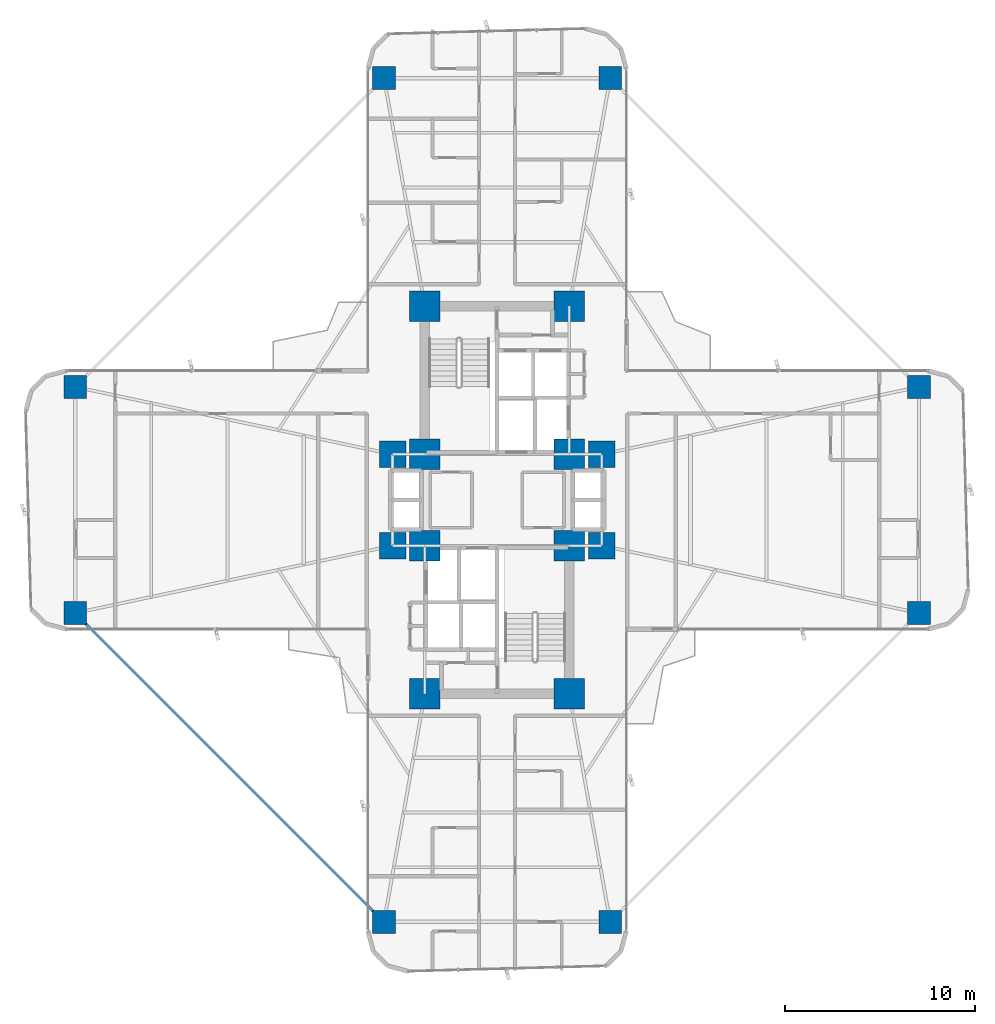
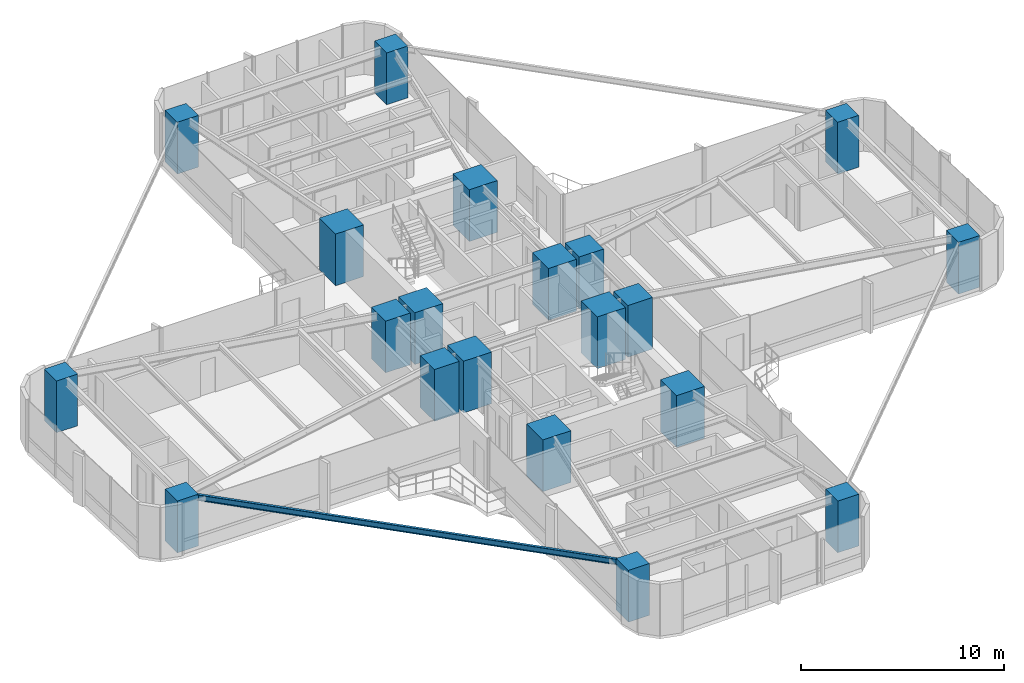
# One storey, part 1 of 26: 20 columns, 1 beam.
"""IFC4 building model written with IfcOpenShell, lengths in metres."""

from ifc_helpers import new_model, si_unit, direction, frame, origin, origin_2d, place, context, subcontext, project, spatial, rectangle, i_section, extrude, source, transform, mapped, material, material_profile, profile_set, type_object, element, save


model = new_model("IFC4")

# Units and contexts
model_context = context("Model", 3, precision=1e-05, world=origin(), true_north=direction((0.0, 1.0)))
body_context = subcontext(model_context, "Body", "Model", "MODEL_VIEW")
ifc_project = project(units=[si_unit("LENGTHUNIT", "METRE"), si_unit("AREAUNIT", "SQUARE_METRE"), si_unit("VOLUMEUNIT", "CUBIC_METRE"), si_unit("PLANEANGLEUNIT", "RADIAN"), si_unit("MASSUNIT", "GRAM", prefix="KILO")], contexts=[model_context])

# Site, building, storey
site_placement = place(None, origin())
site = spatial("IfcSite", under=ifc_project, at=site_placement, CompositionType="ELEMENT")
building_placement = place(site_placement, origin())
building = spatial("IfcBuilding", under=site, at=building_placement, Name="Sahyath Konkavel Grand Hotel", CompositionType="ELEMENT")
storey_placement = place(building_placement, frame((0.0, 0.0, 61.10009765625)))
storey = spatial("IfcBuildingStorey", under=building, at=storey_placement, Name="L16", CompositionType="ELEMENT", Elevation=61.10009765625)

# Columns
ifc_material_1 = material(Name="Concrete C70/85", Category="concrete")
ifc_material_profile_1 = material_profile(ifc_material_1, rectangle(XDim=1.60009765625, YDim=1.60009765625, at=origin_2d()), Name="RC 1600x1600")
ifc_profile_set_1 = profile_set([ifc_material_profile_1], Name="Concrete C70/85")
column_type_1 = type_object("IfcColumnType", Name="COL-RC1600", PredefinedType="COLUMN", material=ifc_profile_set_1)
shared_shape_1 = source(origin(), body_context, "Body", "SweptSolid", [
    extrude(rectangle(XDim=1.60009765625, YDim=1.60009765625, at=origin_2d()), origin(), (0.0, 0.0, 1.0), 3.10986328125),
])
for number, where, z_axis, x_axis, name in (
    (1, (-3.800048828125, 2.39990234375, 0.0), (0.0, 0.0, 1.0), (1.0, 0.0, 0.0), "L16 Core Boundary Column NC-SW"),
    (2, (3.800048828125, 2.39990234375, 0.0), (0.0, 0.0, 1.0), (1.0, 0.0, 0.0), "L16 Core Boundary Column NC-SE"),
    (3, (-3.800048828125, 10.199951171875, 0.0), (0.0, 0.0, 1.0), (1.0, 0.0, 0.0), "L16 Core Boundary Column NC-NW"),
    (4, (3.800048828125, 10.199951171875, 0.0), (0.0, 0.0, 1.0), (1.0, 0.0, 0.0), "L16 Core Boundary Column NC-NE"),
    (5, (-3.800048828125, -2.39990234375, 0.0), (0.0, 0.0, 1.0), (1.0, 0.0, 0.0), "L16 Core Boundary Column SC-NW"),
    (6, (3.800048828125, -2.39990234375, 0.0), (0.0, 0.0, 1.0), (1.0, 0.0, 0.0), "L16 Core Boundary Column SC-NE"),
    (7, (-3.800048828125, -10.199951171875, 0.0), (0.0, 0.0, 1.0), (1.0, 0.0, 0.0), "L16 Core Boundary Column SC-SW"),
    (8, (3.800048828125, -10.199951171875, 0.0), (0.0, 0.0, 1.0), (1.0, 0.0, 0.0), "L16 Core Boundary Column SC-SE"),
):
    element("IfcColumn", number, at=place(storey_placement, frame(where, z_axis=z_axis, x_axis=x_axis)), inside=storey, type_object=column_type_1, Name=name, PredefinedType="COLUMN", context=body_context, shape_type="MappedRepresentation", body=[
        mapped(shared_shape_1, transform((0.0, 0.0, 0.0), scale=1.0)),
    ])
ifc_material_profile_2 = material_profile(ifc_material_1, rectangle(XDim=1.39990234375, YDim=1.39990234375, at=origin_2d()), Name="RC 1400x1400")
ifc_profile_set_2 = profile_set([ifc_material_profile_2], Name="Concrete C70/85")
column_type_2 = type_object("IfcColumnType", Name="COL-RC1400", PredefinedType="COLUMN", material=ifc_profile_set_2)
shared_shape_2 = source(origin(), body_context, "Body", "SweptSolid", [
    extrude(rectangle(XDim=1.39990234375, YDim=1.39990234375, at=origin_2d()), origin(), (0.0, 0.0, 1.0), 3.10986328125),
])
for number, where, z_axis, x_axis, name in (
    (9, (5.5, 2.39990234375, 0.0), (0.0, 0.0, 1.0), (1.0, 0.0, 0.0), "L16 Central Spine Column HB-NE"),
    (10, (-5.5, 2.39990234375, 0.0), (0.0, 0.0, 1.0), (1.0, 0.0, 0.0), "L16 Central Spine Column HB-NW"),
    (11, (5.5, -2.39990234375, 0.0), (0.0, 0.0, 1.0), (1.0, 0.0, 0.0), "L16 Central Spine Column HB-SE"),
    (12, (-5.5, -2.39990234375, 0.0), (0.0, 0.0, 1.0), (1.0, 0.0, 0.0), "L16 Central Spine Column HB-SW"),
):
    element("IfcColumn", number, at=place(storey_placement, frame(where, z_axis=z_axis, x_axis=x_axis)), inside=storey, type_object=column_type_2, Name=name, PredefinedType="COLUMN", context=body_context, shape_type="MappedRepresentation", body=[
        mapped(shared_shape_2, transform((0.0, 0.0, 0.0), scale=1.0)),
    ])
ifc_material_2 = material(Name="Concrete C50/60", Category="concrete")
ifc_material_profile_3 = material_profile(ifc_material_2, rectangle(XDim=1.199951171875, YDim=1.199951171875, at=origin_2d()), Name="RC 1200x1200")
ifc_profile_set_3 = profile_set([ifc_material_profile_3], Name="Concrete C50/60")
column_type_3 = type_object("IfcColumnType", Name="COL-RC1200", PredefinedType="COLUMN", material=ifc_profile_set_3)
shared_shape_3 = source(origin(), body_context, "Body", "SweptSolid", [
    extrude(rectangle(XDim=1.199951171875, YDim=1.199951171875, at=origin_2d()), origin(), (0.0, 0.0, 1.0), 3.10986328125),
])
for number, where, z_axis, x_axis, name in (
    (13, (22.199951171875, -5.949951171875, 0.0), (0.0, 0.0, 1.0), (1.0, 0.0, 0.0), "L16 Cruciform Wing Column WC-EA"),
    (14, (22.199951171875, 5.949951171875, 0.0), (0.0, 0.0, 1.0), (1.0, 0.0, 0.0), "L16 Cruciform Wing Column WC-EB"),
    (15, (5.949951171875, 22.199951171875, 0.0), (0.0, 0.0, 1.0), (1.0, 0.0, 0.0), "L16 Cruciform Wing Column WC-NA"),
    (16, (-5.949951171875, 22.199951171875, 0.0), (0.0, 0.0, 1.0), (1.0, 0.0, 0.0), "L16 Cruciform Wing Column WC-NB"),
    (17, (-22.199951171875, 5.949951171875, 0.0), (0.0, 0.0, 1.0), (1.0, 0.0, 0.0), "L16 Cruciform Wing Column WC-WA"),
    (18, (-22.199951171875, -5.949951171875, 0.0), (0.0, 0.0, 1.0), (1.0, 0.0, 0.0), "L16 Cruciform Wing Column WC-WB"),
    (19, (-5.949951171875, -22.199951171875, 0.0), (0.0, 0.0, 1.0), (1.0, 0.0, 0.0), "L16 Cruciform Wing Column WC-SA"),
    (20, (5.949951171875, -22.199951171875, 0.0), (0.0, 0.0, 1.0), (1.0, 0.0, 0.0), "L16 Cruciform Wing Column WC-SB"),
):
    element("IfcColumn", number, at=place(storey_placement, frame(where, z_axis=z_axis, x_axis=x_axis)), inside=storey, type_object=column_type_3, Name=name, PredefinedType="COLUMN", context=body_context, shape_type="MappedRepresentation", body=[
        mapped(shared_shape_3, transform((0.0, 0.0, 0.0), scale=1.0)),
    ])

# Beam
ifc_material_3 = material(Name="Steel E350", Category="steel")
ifc_material_profile_4 = material_profile(ifc_material_3, i_section(OverallWidth=0.139892578125, OverallDepth=0.35009765625, WebThickness=0.008056640625, FlangeThickness=0.01416015625, FilletRadius=0.013916015625, at=origin_2d()), Name="ISMB 350")
ifc_profile_set_4 = profile_set([ifc_material_profile_4], Name="Steel E350")
beam_type = type_object("IfcBeamType", Name="BM-ISMB350", PredefinedType="BEAM", material=ifc_profile_set_4)
shared_shape_4 = source(origin(), body_context, "Body", "SweptSolid", [
    extrude(i_section(OverallWidth=0.139892578125, OverallDepth=0.35009765625, WebThickness=0.008056640625, FlangeThickness=0.01416015625, FilletRadius=0.013916015625, at=origin_2d()), origin(), (0.0, 0.0, 1.0), 22.98095703125),
])
beam_placement = place(storey_placement, frame((-22.199951171875, -5.949951171875, 2.934814453125), z_axis=(0.707106781187, -0.707106781187, 0.0), x_axis=(0.707106781187, 0.707106781187, 0.0)))
element("IfcBeam", 21, at=beam_placement, inside=storey, type_object=beam_type, Name="L16 Re-Entrant Tie Beam SW", PredefinedType="BEAM", context=body_context, shape_type="MappedRepresentation", body=[
    mapped(shared_shape_4, transform((0.0, 0.0, 0.0), scale=1.0)),
])

save(model, "model.ifc")
